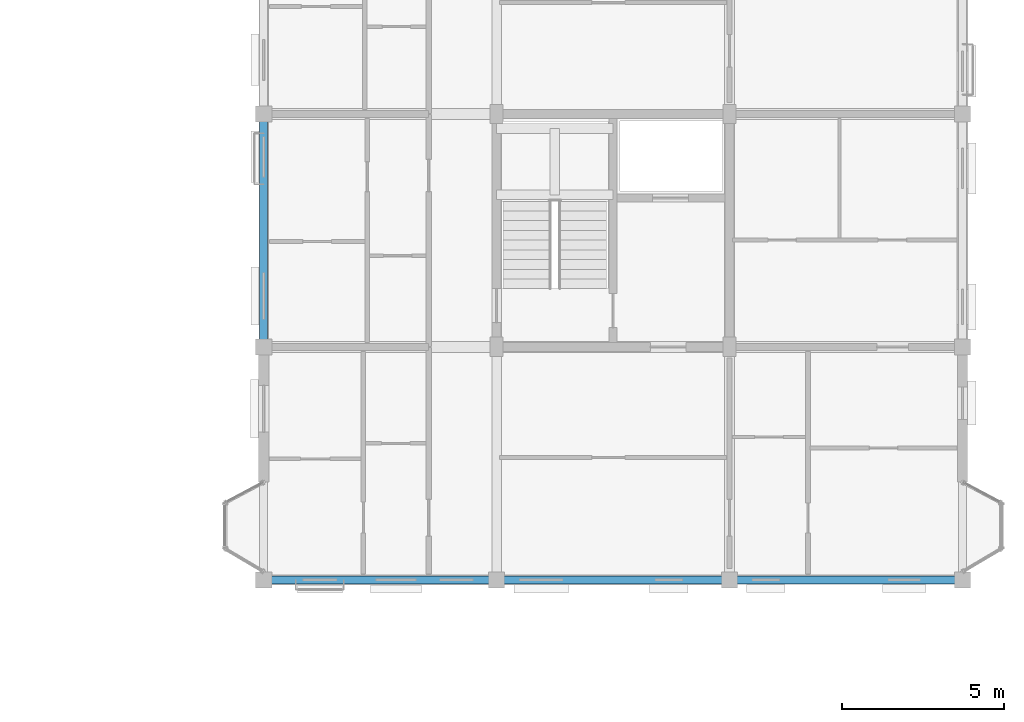
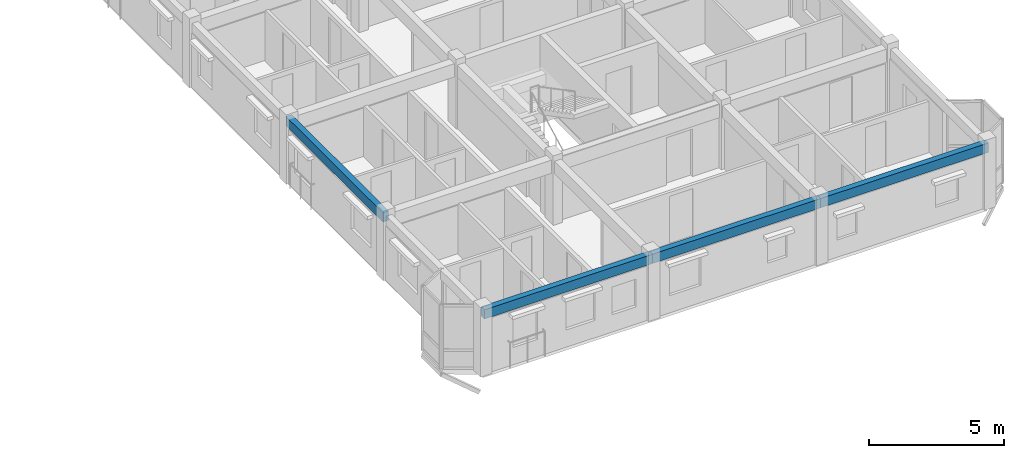
# One storey, part 15 of 64: 4 beams.
"""IFC4 building model written with IfcOpenShell, lengths in metres."""

from ifc_helpers import new_model, si_unit, direction, frame, origin, origin_2d, place, context, subcontext, project, spatial, rectangle, extrude, material, material_profile, profile_set, type_object, element, save


model = new_model("IFC4")

# Units and contexts
model_context = context("Model", 3, precision=1e-05, world=origin(), true_north=direction((0.0, 1.0)))
body_context = subcontext(model_context, "Body", "Model", "MODEL_VIEW")
ifc_project = project(units=[si_unit("LENGTHUNIT", "METRE"), si_unit("AREAUNIT", "SQUARE_METRE"), si_unit("VOLUMEUNIT", "CUBIC_METRE"), si_unit("PLANEANGLEUNIT", "RADIAN"), si_unit("MASSUNIT", "GRAM", prefix="KILO"), si_unit("THERMODYNAMICTEMPERATUREUNIT", "KELVIN"), si_unit("POWERUNIT", "WATT")], contexts=[model_context])

# Site, building, storey
site_placement = place(None, origin())
site = spatial("IfcSite", under=ifc_project, at=site_placement, CompositionType="ELEMENT")
building_placement = place(site_placement, origin())
building = spatial("IfcBuilding", under=site, at=building_placement, Name="Tavuni Mirador Residences", CompositionType="ELEMENT")
storey_placement = place(building_placement, frame((0.0, 0.0, 26.550048828125)))
storey = spatial("IfcBuildingStorey", under=building, at=storey_placement, Name="L08", CompositionType="ELEMENT", Elevation=26.550048828125)

# Beams
ifc_material = material(Name="Precast concrete C40/50", Category="concrete")
ifc_material_profile = material_profile(ifc_material, rectangle(XDim=0.25, YDim=0.419921875, at=origin_2d()), Name="PC 250x420", Category="concrete")
ifc_profile_set = profile_set([ifc_material_profile], Name="Precast concrete C40/50")
beam_type = type_object("IfcBeamType", Name="BT-SP420", PredefinedType="SPANDREL", material=ifc_profile_set)
beam_1_placement = place(storey_placement, frame((97.199951171875, 86.39990234375, 2.679931640625), z_axis=(1.0, 0.0, 0.0), x_axis=(0.0, 1.0, 0.0)))
element("IfcBeam", 1, at=beam_1_placement, inside=storey, type_object=beam_type, Name="BMX-BLK-D-L08-00-00", PredefinedType="SPANDREL", context=body_context, shape_type="SweptSolid", body=[
    extrude(rectangle(XDim=0.25, YDim=0.419921875, at=origin_2d()), origin(), (0.0, 0.0, 1.0), 7.199951171875),
])
beam_2_placement = place(storey_placement, frame((104.39990234375, 86.39990234375, 2.679931640625), z_axis=(1.0, 0.0, 0.0), x_axis=(0.0, 1.0, 0.0)))
element("IfcBeam", 2, at=beam_2_placement, inside=storey, type_object=beam_type, Name="BMX-BLK-D-L08-01-00", PredefinedType="SPANDREL", context=body_context, shape_type="SweptSolid", body=[
    extrude(rectangle(XDim=0.25, YDim=0.419921875, at=origin_2d()), origin(), (0.0, 0.0, 1.0), 7.2001953125),
])
for number, where, z_axis, x_axis, name in (
    (3, (111.60009765625, 86.39990234375, 2.679931640625), (1.0, 0.0, 0.0), (0.0, 1.0, 0.0), "BMX-BLK-D-L08-02-00"),
    (4, (97.199951171875, 93.60009765625, 2.679931640625), (0.0, 1.0, 0.0), (-1.0, 0.0, 0.0), "BMY-BLK-D-L08-00-01"),
):
    element("IfcBeam", number, at=place(storey_placement, frame(where, z_axis=z_axis, x_axis=x_axis)), inside=storey, type_object=beam_type, Name=name, PredefinedType="SPANDREL", context=body_context, shape_type="SweptSolid", body=[
        extrude(rectangle(XDim=0.25, YDim=0.419921875, at=origin_2d()), origin(), (0.0, 0.0, 1.0), 7.199951171875),
    ])

save(model, "model.ifc")
